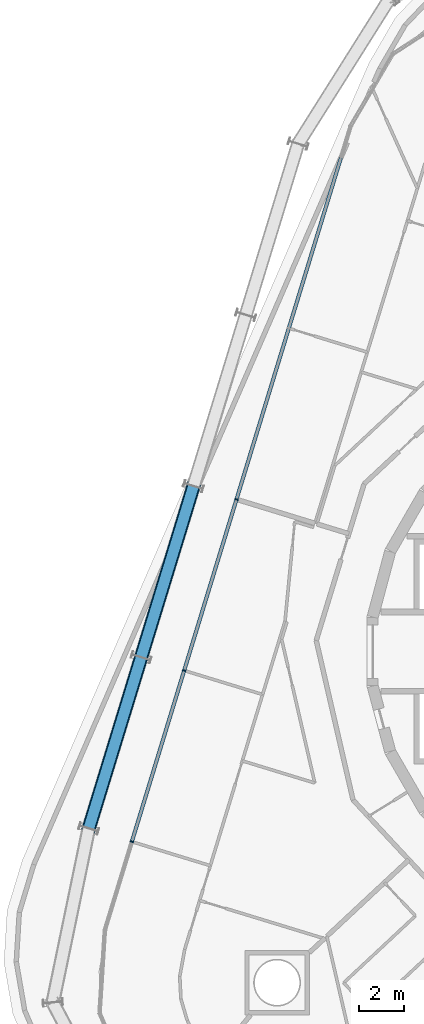
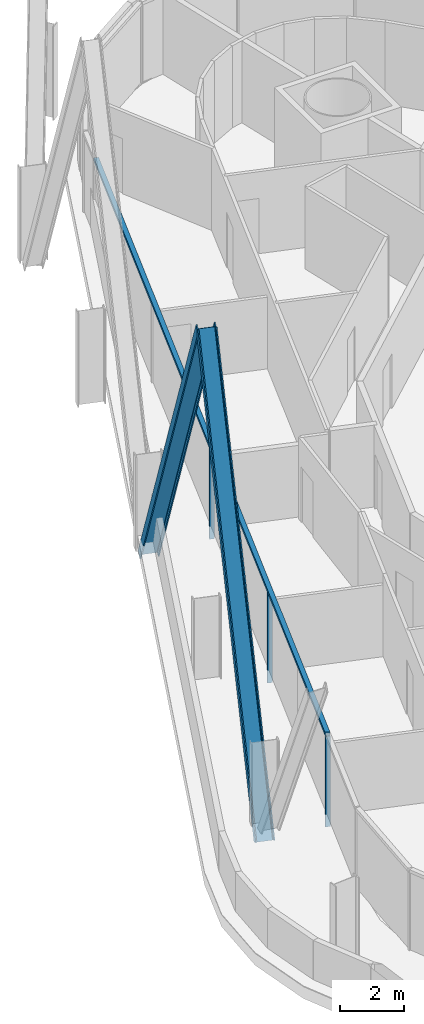
# One storey, part 5 of 18: 6 members, 2 elements without a shape of their own.
"""IFC4 building model written with IfcOpenShell, lengths in metres."""

from ifc_helpers import new_model, si_unit, direction, frame, origin, origin_2d, place, context, subcontext, project, spatial, rectangle, i_section, extrude, material, layer, layer_set, material_profile, profile_set, type_object, element, aggregate, save


model = new_model("IFC4")

# Units and contexts
model_context = context("Model", 3, precision=1e-05, world=origin(), true_north=direction((0.0, 1.0)))
body_context = subcontext(model_context, "Body", "Model", "MODEL_VIEW")
ifc_project = project(units=[si_unit("LENGTHUNIT", "METRE"), si_unit("AREAUNIT", "SQUARE_METRE"), si_unit("VOLUMEUNIT", "CUBIC_METRE"), si_unit("PLANEANGLEUNIT", "RADIAN"), si_unit("MASSUNIT", "GRAM", prefix="KILO")], contexts=[model_context])

# Site, building, storey
site_placement = place(None, origin())
site = spatial("IfcSite", under=ifc_project, at=site_placement, CompositionType="ELEMENT")
building_placement = place(site_placement, origin())
building = spatial("IfcBuilding", under=site, at=building_placement, Name="Spindle Arch Residences", CompositionType="ELEMENT")
storey_placement = place(building_placement, frame((0.0, 0.0, 113.39990234375)))
storey = spatial("IfcBuildingStorey", under=building, at=storey_placement, Name="L27", CompositionType="ELEMENT", Elevation=113.39990234375)

# Curtain wall, members
ifc_material_1 = material(Name="Aluminium bronze unitised frame with tinted glass", Category="aluminium")
ifc_layer_1 = layer(ifc_material_1, 0.159912109375)
ifc_layer_set_1 = layer_set([ifc_layer_1], Name="CW-C typical residential unitised wall")
curtain_wall_type_1 = type_object("IfcCurtainWallType", Name="CW-C typical residential unitised wall", PredefinedType="NOTDEFINED", material=ifc_layer_set_1)
curtain_wall_1_placement = place(storey_placement, origin())
curtain_wall_1 = element("IfcCurtainWall", 1, at=curtain_wall_1_placement, inside=storey, type_object=curtain_wall_type_1, Name="CW-C L27 run 4", PredefinedType="NOTDEFINED")
ifc_material_2 = material(Name="Aluminium bronze anodised mullion", Category="aluminium")
ifc_material_profile_1 = material_profile(ifc_material_2, rectangle(XDim=0.159912109375, YDim=0.06005859375, at=origin_2d()), Name="MU 60x160")
ifc_profile_set_1 = profile_set([ifc_material_profile_1], Name="Aluminium bronze anodised mullion")
member_type_1 = type_object("IfcMemberType", Name="Bronze mullion 60x160", PredefinedType="MULLION", material=ifc_profile_set_1)
member_1_placement = place(storey_placement, frame((-17.750732421875, 6.826171875, -0.449951171875), z_axis=(0.0, 0.0, 1.0), x_axis=(0.956304755963, -0.292371704723, 0.0)))
member_1 = element("IfcMember", 2, at=member_1_placement, type_object=member_type_1, Name="CW-C mullion 14", PredefinedType="MULLION", context=body_context, shape_type="SweptSolid", body=[
    extrude(rectangle(XDim=0.159912109375, YDim=0.06005859375, at=origin_2d()), origin(), (0.0, 0.0, 1.0), 3.449951171875),
])
member_2_placement = place(storey_placement, frame((-20.09814453125, -0.85205078125, -0.449951171875), z_axis=(0.0, 0.0, 1.0), x_axis=(0.956304755963, -0.292371704723, 0.0)))
member_2 = element("IfcMember", 3, at=member_2_placement, type_object=member_type_1, Name="CW-C mullion 15", PredefinedType="MULLION", context=body_context, shape_type="SweptSolid", body=[
    extrude(rectangle(XDim=0.159912109375, YDim=0.06005859375, at=origin_2d()), origin(), (0.0, 0.0, 1.0), 3.449951171875),
])

# Curtain wall, member
ifc_material_3 = material(Name="Aluminium bronze unitised frame with tinted glass", Category="aluminium")
ifc_layer_2 = layer(ifc_material_3, 0.159912109375)
ifc_layer_set_2 = layer_set([ifc_layer_2], Name="CW-D corner wall on the fillet arcs")
curtain_wall_type_2 = type_object("IfcCurtainWallType", Name="CW-D corner wall on the fillet arcs", PredefinedType="NOTDEFINED", material=ifc_layer_set_2)
curtain_wall_2_placement = place(storey_placement, origin())
curtain_wall_2 = element("IfcCurtainWall", 4, at=curtain_wall_2_placement, inside=storey, type_object=curtain_wall_type_2, Name="CW-D L27 run 5", PredefinedType="NOTDEFINED")
member_3_placement = place(storey_placement, frame((-22.44580078125, -8.5302734375, -0.449951171875), z_axis=(0.0, 0.0, 1.0), x_axis=(0.956304755963, -0.292371704723, 0.0)))
member_3 = element("IfcMember", 5, at=member_3_placement, type_object=member_type_1, Name="CW-D mullion 00", PredefinedType="MULLION", context=body_context, shape_type="SweptSolid", body=[
    extrude(rectangle(XDim=0.159912109375, YDim=0.06005859375, at=origin_2d()), origin(), (0.0, 0.0, 1.0), 3.449951171875),
])
aggregate(curtain_wall_2, [member_3])

# Member
ifc_material_4 = material(Name="Aluminium bronze anodised transom", Category="aluminium")
ifc_material_profile_2 = material_profile(ifc_material_4, rectangle(XDim=0.159912109375, YDim=0.1201171875, at=origin_2d()), Name="TR 120x160")
ifc_profile_set_2 = profile_set([ifc_material_profile_2], Name="Aluminium bronze anodised transom")
member_type_2 = type_object("IfcMemberType", Name="Bronze transom 120x160", PredefinedType="USERDEFINED", material=ifc_profile_set_2)
member_4_placement = place(storey_placement, frame((-13.064453125, 22.154296875, 3.06005859375), z_axis=(-0.292373902287, -0.956304084097, 0.0), x_axis=(0.956304084097, -0.292373902287, 0.0)))
member_4 = element("IfcMember", 6, at=member_4_placement, type_object=member_type_2, Name="CW-C transom 00", ObjectType="TRANSOM", PredefinedType="USERDEFINED", context=body_context, shape_type="SweptSolid", body=[
    extrude(rectangle(XDim=0.159912109375, YDim=0.1201171875, at=origin_2d()), origin(), (0.0, 0.0, 1.0), 32.056640625),
])

aggregate(curtain_wall_1, [member_4, member_1, member_2])

# Members
ifc_material_5 = material(Name="Steel S460ML, intumescent coating R 240", Category="steel")
ifc_material_profile_3 = material_profile(ifc_material_5, i_section(OverallWidth=0.304931640625, OverallDepth=0.6201171875, WebThickness=0.02099609375, FlangeThickness=0.0400390625, FilletRadius=0.027099609375, at=origin_2d()), Name="HEM 600")
ifc_profile_set_3 = profile_set([ifc_material_profile_3], Name="Steel S460ML, intumescent coating R 240")
member_type_3 = type_object("IfcMemberType", Name="Diagrid diagonal HEM 600", PredefinedType="BRACE", material=ifc_profile_set_3)
member_5_placement = place(storey_placement, frame((-19.682373046875, 7.4169921875, -0.699951171875), z_axis=(-0.144903080929, -0.473983026345, 0.868529324706), x_axis=(0.253920462272, 0.830582679035, 0.495637783191)))
element("IfcMember", 7, at=member_5_placement, inside=storey, type_object=member_type_3, Name="Diagrid diagonal 3.1.15", PredefinedType="BRACE", context=body_context, shape_type="SweptSolid", body=[
    extrude(i_section(OverallWidth=0.304931640625, OverallDepth=0.6201171875, WebThickness=0.02099609375, FlangeThickness=0.0400390625, FilletRadius=0.027099609375, at=origin_2d()), origin(), (0.0, 0.0, 1.0), 16.199951171875),
])
member_6_placement = place(storey_placement, frame((-24.37744140625, -7.939697265625, -0.699951171875), z_axis=(0.144918870133, 0.473970306332, 0.868533631931), x_axis=(-0.25395325715, -0.830577156547, 0.495630235362)))
element("IfcMember", 8, at=member_6_placement, inside=storey, type_object=member_type_3, Name="Diagrid diagonal 3.1.16", PredefinedType="BRACE", context=body_context, shape_type="SweptSolid", body=[
    extrude(i_section(OverallWidth=0.304931640625, OverallDepth=0.6201171875, WebThickness=0.02099609375, FlangeThickness=0.0400390625, FilletRadius=0.027099609375, at=origin_2d()), origin(), (0.0, 0.0, 1.0), 16.19970703125),
])

save(model, "model.ifc")
